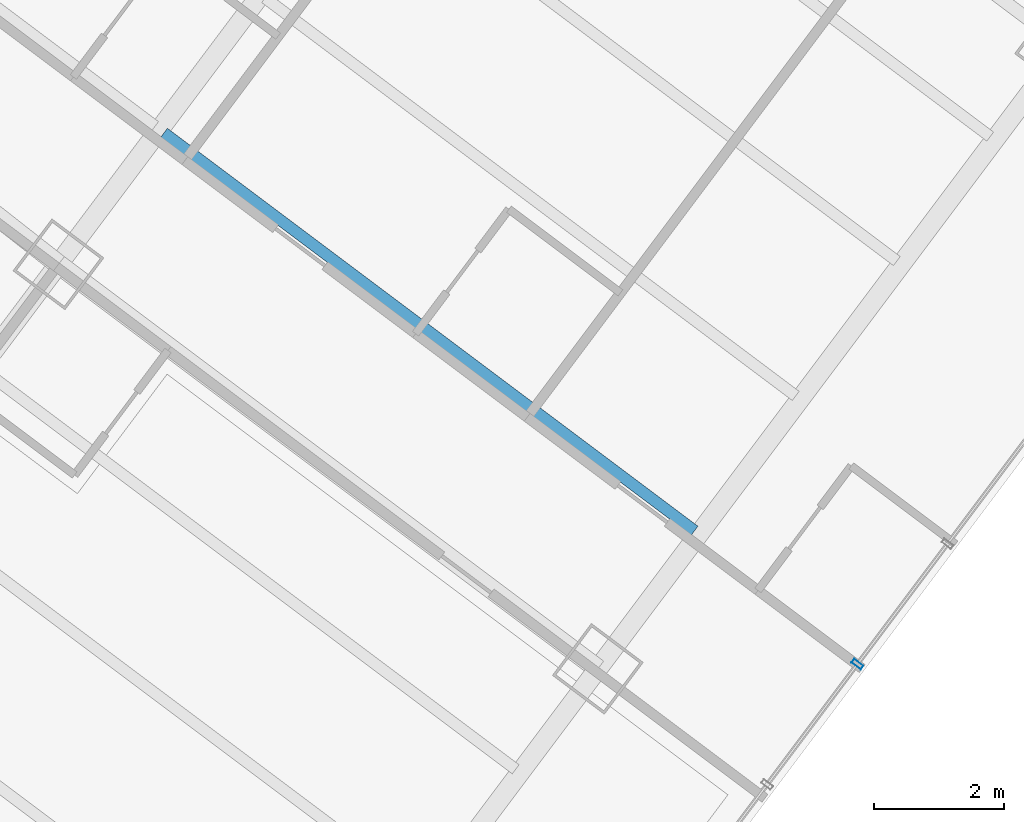
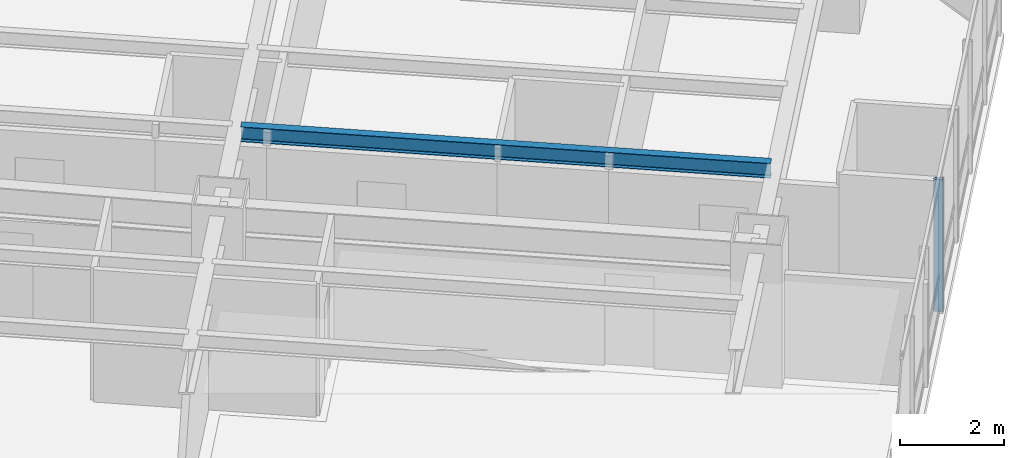
# One storey, part 16 of 39: 1 beam, 1 member, 1 element without a shape of its own.
"""IFC4 building model written with IfcOpenShell, lengths in metres."""

from ifc_helpers import new_model, si_unit, direction, frame, origin, origin_2d, place, context, subcontext, project, spatial, hollow_rectangle, i_section, extrude, material, layer, layer_set, material_profile, profile_set, type_object, element, aggregate, save


model = new_model("IFC4")

# Units and contexts
model_context = context("Model", 3, precision=1e-05, world=origin(), true_north=direction((0.0, 1.0)))
body_context = subcontext(model_context, "Body", "Model", "MODEL_VIEW")
ifc_project = project(units=[si_unit("LENGTHUNIT", "METRE"), si_unit("AREAUNIT", "SQUARE_METRE"), si_unit("VOLUMEUNIT", "CUBIC_METRE"), si_unit("PLANEANGLEUNIT", "RADIAN"), si_unit("MASSUNIT", "GRAM", prefix="KILO")], contexts=[model_context])

# Site, building, storey
site_placement = place(None, origin())
site = spatial("IfcSite", under=ifc_project, at=site_placement, CompositionType="ELEMENT")
building_placement = place(site_placement, origin())
building = spatial("IfcBuilding", under=site, at=building_placement, Name="Hatsunagi Terrace Concourse", CompositionType="ELEMENT")
storey_placement = place(building_placement, frame((0.0, 0.0, 66.75)))
storey = spatial("IfcBuildingStorey", under=building, at=storey_placement, Name="L17", CompositionType="ELEMENT", Elevation=66.75)

# Curtain wall, member
ifc_material_1 = material(Name="Anodised Aluminium Alloy 6063-T5", Category="aluminium")
ifc_layer = layer(ifc_material_1, 0.199951171875)
ifc_layer_set = layer_set([ifc_layer], Name="HotelFacade_CW02")
curtain_wall_type = type_object("IfcCurtainWallType", Name="HotelFacade_CW02", PredefinedType="NOTDEFINED", material=ifc_layer_set)
curtain_wall_placement = place(storey_placement, origin())
curtain_wall = element("IfcCurtainWall", 1, at=curtain_wall_placement, inside=storey, type_object=curtain_wall_type, Name="Unitised Curtain Wall CW-02 CW-L17-03", PredefinedType="NOTDEFINED")
ifc_material_2 = material(Name="Anodised Aluminium Alloy 6063-T5", Category="aluminium")
ifc_material_profile_1 = material_profile(ifc_material_2, hollow_rectangle(XDim=0.070068359375, YDim=0.179931640625, WallThickness=0.00390625, at=origin_2d()), Name="ALU-MUL-180x70x4")
ifc_profile_set_1 = profile_set([ifc_material_profile_1], Name="Anodised Aluminium Alloy 6063-T5")
member_type = type_object("IfcMemberType", Name="CurtainWallMullion_180x70", PredefinedType="MULLION", material=ifc_profile_set_1)
member_placement = place(storey_placement, frame((63.52392578125, 12.23193359375, 0.0), z_axis=(0.0, 0.0, 1.0), x_axis=(-0.599969314634, -0.800023013105, 0.0)))
member = element("IfcMember", 2, at=member_placement, type_object=member_type, Name="Curtain Wall Mullion MUL-02", PredefinedType="MULLION", context=body_context, shape_type="SweptSolid", body=[
    extrude(hollow_rectangle(XDim=0.070068359375, YDim=0.179931640625, WallThickness=0.00390625, at=origin_2d()), origin(), (0.0, 0.0, 1.0), 3.090087890625),
])
aggregate(curtain_wall, [member])

# Beam
ifc_material_3 = material(Name="Steel SN490B", Category="steel")
ifc_material_profile_2 = material_profile(ifc_material_3, i_section(OverallWidth=0.175048828125, OverallDepth=0.35009765625, WebThickness=0.007080078125, FlangeThickness=0.010986328125, FilletRadius=0.012939453125, at=origin_2d()), Name="H-350x175x7x11")
ifc_profile_set_2 = profile_set([ifc_material_profile_2], Name="Steel SN490B")
beam_type = type_object("IfcBeamType", Name="HotelJoist_H_350x175", PredefinedType="JOIST", material=ifc_profile_set_2)
beam_placement = place(storey_placement, frame((52.827880859375, 20.428955078125, 2.955078125), z_axis=(0.800005727586, -0.599992363142, 0.0), x_axis=(0.599992363142, 0.800005727586, 0.0)))
element("IfcBeam", 3, at=beam_placement, inside=storey, type_object=beam_type, Name="Beam J-02 J-L17-SE-3-142", PredefinedType="JOIST", context=body_context, shape_type="SweptSolid", body=[
    extrude(i_section(OverallWidth=0.175048828125, OverallDepth=0.35009765625, WebThickness=0.007080078125, FlangeThickness=0.010986328125, FilletRadius=0.012939453125, at=origin_2d()), origin(), (0.0, 0.0, 1.0), 10.22998046875),
])

save(model, "model.ifc")
